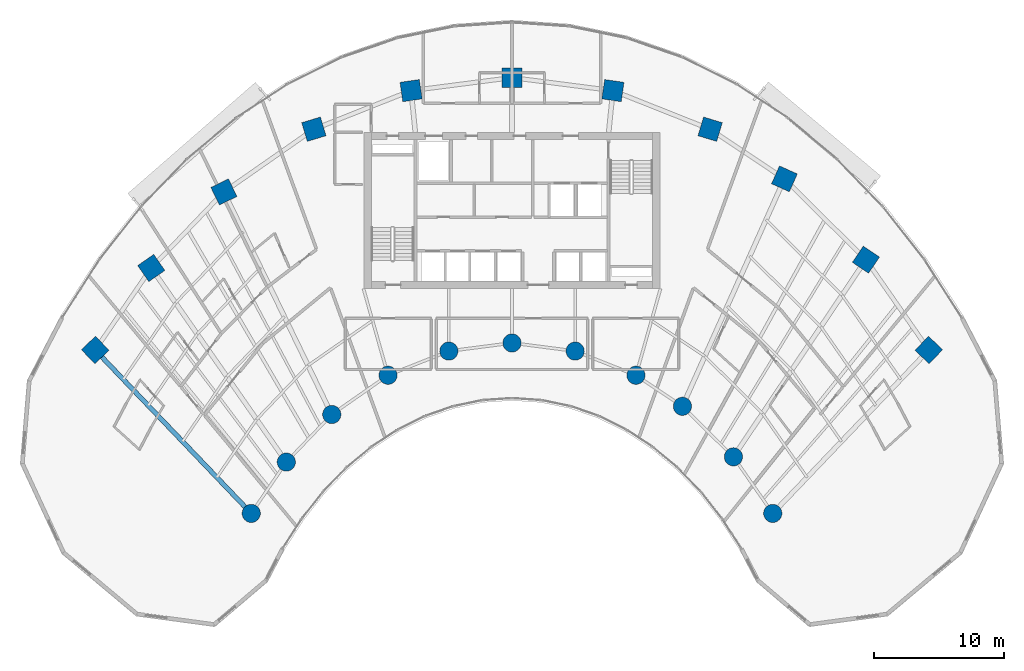
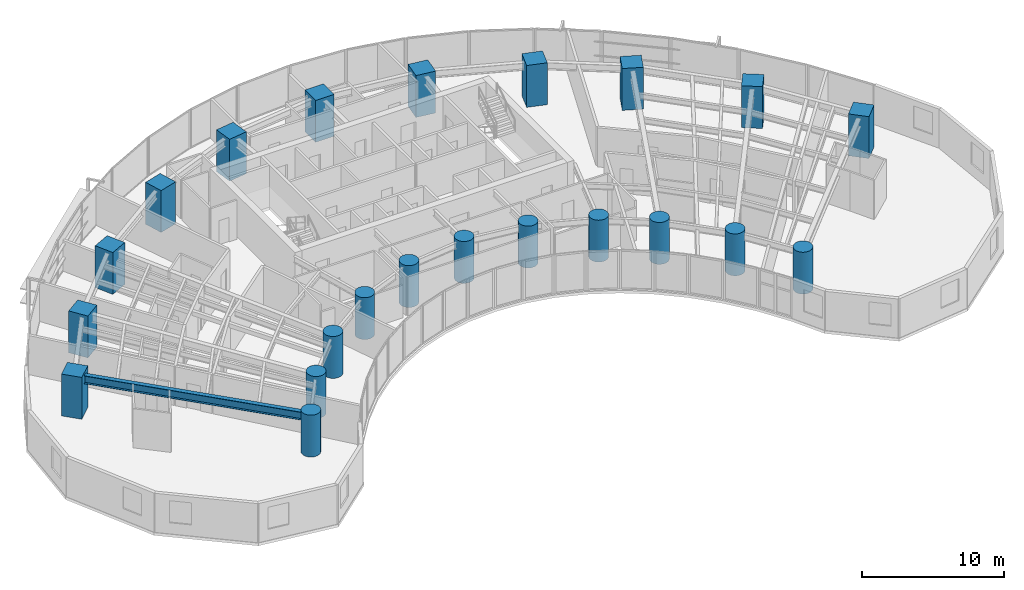
# One storey, part 1 of 17: 22 columns, 1 beam.
"""IFC4 building model written with IfcOpenShell, lengths in metres."""

from ifc_helpers import new_model, si_unit, direction, frame, origin, origin_2d, place, context, subcontext, project, spatial, rectangle, circle, i_section, extrude, source, transform, mapped, material, material_profile, profile_set, type_object, type_shapes, element, save


model = new_model("IFC4")

# Units and contexts
model_context = context("Model", 3, precision=1e-05, world=origin(), true_north=direction((0.0, 1.0)))
body_context = subcontext(model_context, "Body", "Model", "MODEL_VIEW")
ifc_project = project(units=[si_unit("LENGTHUNIT", "METRE"), si_unit("AREAUNIT", "SQUARE_METRE"), si_unit("VOLUMEUNIT", "CUBIC_METRE"), si_unit("PLANEANGLEUNIT", "RADIAN"), si_unit("MASSUNIT", "GRAM", prefix="KILO")], contexts=[model_context])

# Site, building, storey
site_placement = place(None, origin())
site = spatial("IfcSite", under=ifc_project, at=site_placement, CompositionType="ELEMENT")
building_placement = place(site_placement, origin())
building = spatial("IfcBuilding", under=site, at=building_placement, Name="Breltana Convention Tower", CompositionType="ELEMENT")
storey_placement = place(building_placement, frame((0.0, 0.0, 71.39990234375)))
storey = spatial("IfcBuildingStorey", under=building, at=storey_placement, Name="L16", CompositionType="ELEMENT", Elevation=71.39990234375)

# Columns
ifc_material_1 = material(Name="Concrete C60/75", Category="concrete")
ifc_material_profile_1 = material_profile(ifc_material_1, circle(Radius=0.699951171875, at=origin_2d()), Name="RC-COL-D1400")
ifc_profile_set_1 = profile_set([ifc_material_profile_1], Name="Concrete C60/75")
column_type_1 = type_object("IfcColumnType", Name="COL-RC-D1400", PredefinedType="COLUMN", material=ifc_profile_set_1)
shared_shape_1 = source(origin(), body_context, "Body", "SweptSolid", [
    extrude(circle(Radius=0.699951171875, at=origin_2d()), origin(), (0.0, 0.0, 1.0), 3.60009765625),
])
for number, where, z_axis, x_axis, name in (
    (1, (27.984619140625, 42.95458984375, 0.0), (0.0, 0.0, 1.0), (-0.690756218984, 0.723087716626, 0.0), "L16 Tower Column R01-IN"),
    (2, (30.67724609375, 46.892333984375, 0.0), (0.0, 0.0, 1.0), (-0.571143442153, 0.820850271661, 0.0), "L16 Tower Column R02-IN"),
    (3, (34.166259765625, 50.544921875, 0.0), (0.0, 0.0, 1.0), (-0.436173672171, 0.899862504889, 0.0), "L16 Tower Column R03-IN"),
    (4, (38.485107421875, 53.5576171875, 0.0), (0.0, 0.0, 1.0), (-0.288697611798, 0.957420330337, 0.0), "L16 Tower Column R04-IN"),
    (5, (43.153564453125, 55.41064453125, 0.0), (0.0, 0.0, 1.0), (-0.143492621991, 0.98965138682, 0.0), "L16 Tower Column R05-IN"),
    (6, (48.0, 56.035888671875, 0.0), (0.0, 0.0, 1.0), (0.0, 1.0, 0.0), "L16 Tower Column R06-IN"),
    (7, (52.846435546875, 55.41064453125, 0.0), (0.0, 0.0, 1.0), (0.143492621991, 0.98965138682, 0.0), "L16 Tower Column R07-IN"),
    (8, (57.514892578125, 53.5576171875, 0.0), (0.0, 0.0, 1.0), (0.288697611798, 0.957420330337, 0.0), "L16 Tower Column R08-IN"),
    (9, (61.08203125, 51.174560546875, 0.0), (0.0, 0.0, 1.0), (0.409126902895, 0.912477494148, 0.0), "L16 Tower Column R09-IN"),
    (10, (64.995849609375, 47.293701171875, 0.0), (0.0, 0.0, 1.0), (0.55774510898, 0.830012285095, 0.0), "L16 Tower Column R10-IN"),
    (11, (68.015380859375, 42.95458984375, 0.0), (0.0, 0.0, 1.0), (0.690756218984, 0.723087716626, 0.0), "L16 Tower Column R11-IN"),
):
    element("IfcColumn", number, at=place(storey_placement, frame(where, z_axis=z_axis, x_axis=x_axis)), inside=storey, type_object=column_type_1, Name=name, PredefinedType="COLUMN", context=body_context, shape_type="MappedRepresentation", body=[
        mapped(shared_shape_1, transform((0.0, 0.0, 0.0), scale=1.0)),
    ])
ifc_material_profile_2 = material_profile(ifc_material_1, rectangle(XDim=1.5, YDim=1.5, at=origin_2d()), Name="RC-COL-1500X1500")
ifc_profile_set_2 = profile_set([ifc_material_profile_2], Name="Concrete C60/75")
column_type_2 = type_object("IfcColumnType", Name="COL-RC-1500", PredefinedType="COLUMN", material=ifc_profile_set_2)
shared_shape_2 = source(origin(), body_context, "Body", "SweptSolid", [
    extrude(rectangle(XDim=1.5, YDim=1.5, at=origin_2d()), origin(), (0.0, 0.0, 1.0), 3.60009765625),
])
for number, where, z_axis, x_axis, name in (
    (12, (16.0068359375, 55.494384765625, 0.0), (0.0, 0.0, 1.0), (-0.690756218984, 0.723087716626, 0.0), "L16 Tower Column R01-OUT"),
    (13, (20.310791015625, 61.78857421875, 0.0), (0.0, 0.0, 1.0), (-0.571143442153, 0.820850271661, 0.0), "L16 Tower Column R02-OUT"),
    (14, (25.8876953125, 67.626953125, 0.0), (0.0, 0.0, 1.0), (-0.436173672171, 0.899862504889, 0.0), "L16 Tower Column R03-OUT"),
    (15, (32.791015625, 72.4423828125, 0.0), (0.0, 0.0, 1.0), (-0.288697611798, 0.957420330337, 0.0), "L16 Tower Column R04-OUT"),
    (16, (40.253173828125, 75.404296875, 0.0), (0.0, 0.0, 1.0), (-0.143492621991, 0.98965138682, 0.0), "L16 Tower Column R05-OUT"),
    (17, (48.0, 76.404052734375, 0.0), (0.0, 0.0, 1.0), (0.0, 1.0, 0.0), "L16 Tower Column R06-OUT"),
    (18, (55.746826171875, 75.404296875, 0.0), (0.0, 0.0, 1.0), (0.143492621991, 0.98965138682, 0.0), "L16 Tower Column R07-OUT"),
    (19, (63.208984375, 72.4423828125, 0.0), (0.0, 0.0, 1.0), (0.288697611798, 0.957420330337, 0.0), "L16 Tower Column R08-OUT"),
    (20, (68.910400390625, 68.63330078125, 0.0), (0.0, 0.0, 1.0), (0.409126902895, 0.912477494148, 0.0), "L16 Tower Column R09-OUT"),
    (21, (75.166748046875, 62.43017578125, 0.0), (0.0, 0.0, 1.0), (0.55774510898, 0.830012285095, 0.0), "L16 Tower Column R10-OUT"),
    (22, (79.9931640625, 55.494384765625, 0.0), (0.0, 0.0, 1.0), (0.690756218984, 0.723087716626, 0.0), "L16 Tower Column R11-OUT"),
):
    element("IfcColumn", number, at=place(storey_placement, frame(where, z_axis=z_axis, x_axis=x_axis)), inside=storey, type_object=column_type_2, Name=name, PredefinedType="COLUMN", context=body_context, shape_type="MappedRepresentation", body=[
        mapped(shared_shape_2, transform((0.0, 0.0, 0.0), scale=1.0)),
    ])

# Beam
ifc_material_2 = material(Name="Steel ASTM A992 Grade 50", Category="steel")
ifc_material_profile_3 = material_profile(ifc_material_2, i_section(OverallWidth=0.35498046875, OverallDepth=0.696044921875, WebThickness=0.015380859375, FlangeThickness=0.02490234375, at=origin_2d()), Name="W27X146")
ifc_profile_set_3 = profile_set([ifc_material_profile_3], Name="Steel ASTM A992 Grade 50")
beam_type = type_object("IfcBeamType", Name="BM-RG-W27X146", PredefinedType="USERDEFINED", material=ifc_profile_set_3)
shared_shape_3 = source(origin(), body_context, "Body", "SweptSolid", [
    extrude(i_section(OverallWidth=0.35498046875, OverallDepth=0.696044921875, WebThickness=0.015380859375, FlangeThickness=0.02490234375, at=origin_2d()), origin(), (0.0, 0.0, 1.0), 17.341064453125),
])
type_shapes(beam_type, [shared_shape_3])
beam_placement = place(storey_placement, frame((27.984619140625, 42.95458984375, 3.01220703125), z_axis=(-0.690716462293, 0.723125693581, 0.0), x_axis=(-0.723125693581, -0.690716462293, 0.0)))
element("IfcBeam", 23, at=beam_placement, inside=storey, type_object=beam_type, Name="L16 Radial Floor Girder R01", ObjectType="GIRDER", PredefinedType="USERDEFINED", context=body_context, shape_type="MappedRepresentation", body=[
    mapped(shared_shape_3, transform((0.0, 0.0, 0.0), scale=1.0)),
])

save(model, "model.ifc")
